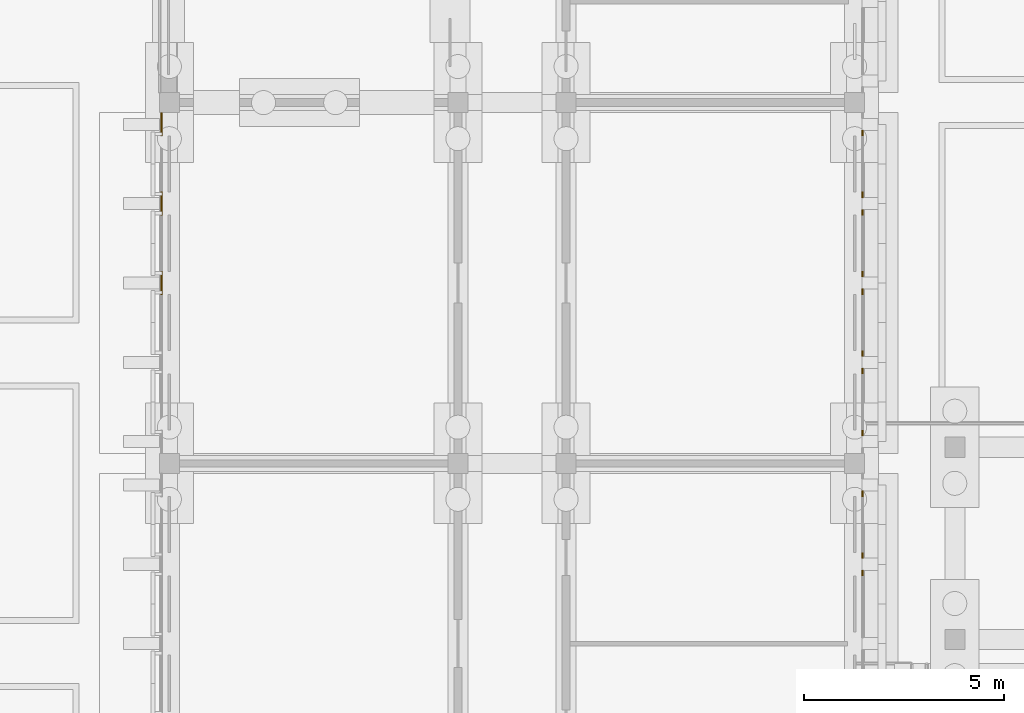
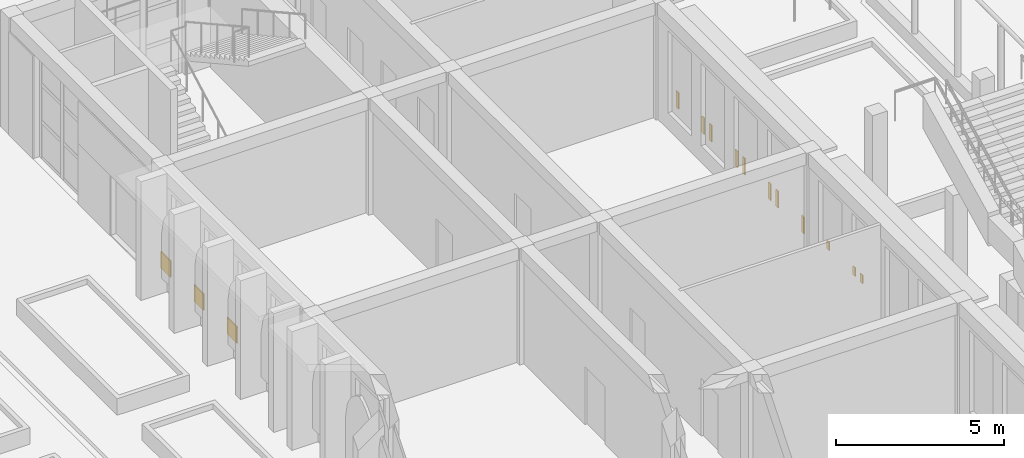
# One storey, part 159 of 161: 14 coverings.
"""IFC4 building model written with IfcOpenShell, lengths in metres."""

from ifc_helpers import new_model, si_unit, direction, frame, origin, origin_2d, place, context, subcontext, project, spatial, rectangle, extrude, material, layer, layer_set, type_object, element, save


model = new_model("IFC4")

# Units and contexts
model_context = context("Model", 3, precision=1e-05, world=origin(), true_north=direction((0.0, 1.0)))
body_context = subcontext(model_context, "Body", "Model", "MODEL_VIEW")
ifc_project = project(units=[si_unit("LENGTHUNIT", "METRE"), si_unit("AREAUNIT", "SQUARE_METRE"), si_unit("VOLUMEUNIT", "CUBIC_METRE"), si_unit("PLANEANGLEUNIT", "RADIAN"), si_unit("MASSUNIT", "GRAM", prefix="KILO")], contexts=[model_context])

# Site, building, storey
site_placement = place(None, origin())
site = spatial("IfcSite", under=ifc_project, at=site_placement, CompositionType="ELEMENT")
building_placement = place(site_placement, origin())
building = spatial("IfcBuilding", under=site, at=building_placement, Name="Elbe Cascade School", CompositionType="ELEMENT")
storey_placement = place(building_placement, origin())
storey = spatial("IfcBuildingStorey", under=building, at=storey_placement, Name="L00", CompositionType="ELEMENT", Elevation=0.0)

# Coverings
ifc_material = material(Name="Sandstone - red", Category="masonry")
ifc_layer = layer(ifc_material, 0.0400390625)
ifc_layer_set = layer_set([ifc_layer], Name="Sandstone - red")
covering_type = type_object("IfcCoveringType", Name="Bars envelope Sandstone cladding, red, 40 mm", PredefinedType="CLADDING", material=ifc_layer_set)
for number, where, z_axis, x_axis, name in (
    (1, (157.60009765625, 46.5, 0.599853515625), (0.0, 0.0, 1.0), (0.0, 1.0, 0.0), "Sandstone cladding CV48 D.L00.w.5.4"),
    (2, (157.60009765625, 48.47998046875, 0.599853515625), (0.0, 0.0, 1.0), (0.0, 1.0, 0.0), "Sandstone cladding CV48 D.L00.w.5.5"),
    (3, (157.60009765625, 50.4599609375, 0.599853515625), (0.0, 0.0, 1.0), (0.0, 1.0, 0.0), "Sandstone cladding CV48 D.L00.w.5.6"),
):
    element("IfcCovering", number, at=place(storey_placement, frame(where, z_axis=z_axis, x_axis=x_axis)), inside=storey, type_object=covering_type, Name=name, PredefinedType="CLADDING", context=body_context, shape_type="SweptSolid", body=[
        extrude(rectangle(XDim=0.580078125, YDim=0.0400390625, at=origin_2d()), origin(), (0.0, 0.0, 1.0), 0.60009765625),
    ])
for number, where, z_axis, x_axis, name in (
    (4, (175.10009765625, 39.260009765625, 0.89990234375), (0.0, 0.0, 1.0), (0.0, 1.0, 0.0), "Sandstone cladding CV48 D.L00.e.4.12"),
    (5, (175.10009765625, 39.699951171875, 0.89990234375), (0.0, 0.0, 1.0), (0.0, 1.0, 0.0), "Sandstone cladding CV48 D.L00.e.4.13"),
    (6, (175.10009765625, 41.239990234375, 0.89990234375), (0.0, 0.0, 1.0), (0.0, 1.0, 0.0), "Sandstone cladding CV48 D.L00.e.4.14"),
):
    element("IfcCovering", number, at=place(storey_placement, frame(where, z_axis=z_axis, x_axis=x_axis)), inside=storey, type_object=covering_type, Name=name, PredefinedType="CLADDING", context=body_context, shape_type="SweptSolid", body=[
        extrude(rectangle(XDim=0.139892578125, YDim=0.0400390625, at=origin_2d()), origin(), (0.0, 0.0, 1.0), 0.300048828125),
    ])
for number, where, z_axis, x_axis, name in (
    (7, (175.10009765625, 42.760009765625, 0.599853515625), (0.0, 0.0, 1.0), (0.0, 1.0, 0.0), "Sandstone cladding CV48 D.L00.e.5.7"),
    (8, (175.10009765625, 44.300048828125, 0.599853515625), (0.0, 0.0, 1.0), (0.0, 1.0, 0.0), "Sandstone cladding CV48 D.L00.e.5.8"),
    (9, (175.10009765625, 44.739990234375, 0.599853515625), (0.0, 0.0, 1.0), (0.0, 1.0, 0.0), "Sandstone cladding CV48 D.L00.e.5.9"),
    (10, (175.10009765625, 46.280029296875, 0.599853515625), (0.0, 0.0, 1.0), (0.0, 1.0, 0.0), "Sandstone cladding CV48 D.L00.e.5.10"),
    (11, (175.10009765625, 46.719970703125, 0.599853515625), (0.0, 0.0, 1.0), (0.0, 1.0, 0.0), "Sandstone cladding CV48 D.L00.e.5.11"),
    (12, (175.10009765625, 48.260009765625, 0.599853515625), (0.0, 0.0, 1.0), (0.0, 1.0, 0.0), "Sandstone cladding CV48 D.L00.e.5.12"),
    (13, (175.10009765625, 48.699951171875, 0.599853515625), (0.0, 0.0, 1.0), (0.0, 1.0, 0.0), "Sandstone cladding CV48 D.L00.e.5.13"),
    (14, (175.10009765625, 50.239990234375, 0.599853515625), (0.0, 0.0, 1.0), (0.0, 1.0, 0.0), "Sandstone cladding CV48 D.L00.e.5.14"),
):
    element("IfcCovering", number, at=place(storey_placement, frame(where, z_axis=z_axis, x_axis=x_axis)), inside=storey, type_object=covering_type, Name=name, PredefinedType="CLADDING", context=body_context, shape_type="SweptSolid", body=[
        extrude(rectangle(XDim=0.139892578125, YDim=0.0400390625, at=origin_2d()), origin(), (0.0, 0.0, 1.0), 0.60009765625),
    ])

save(model, "model.ifc")
